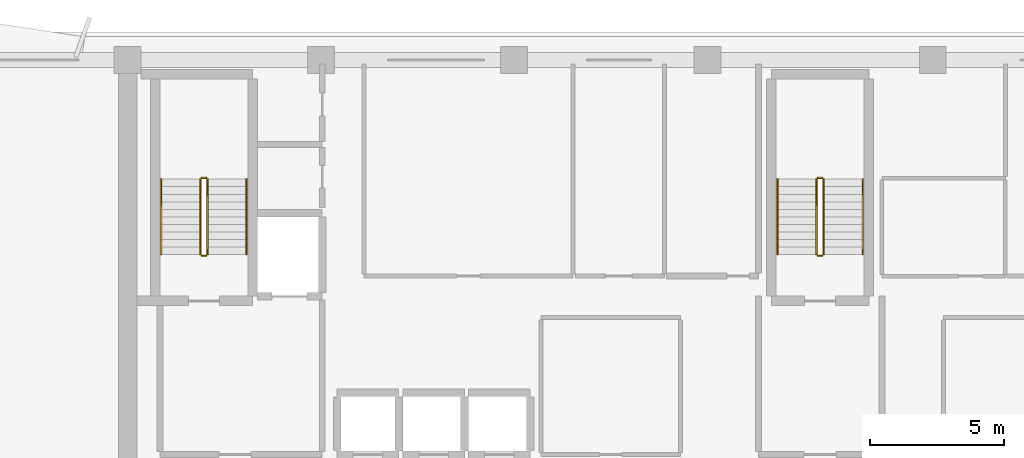
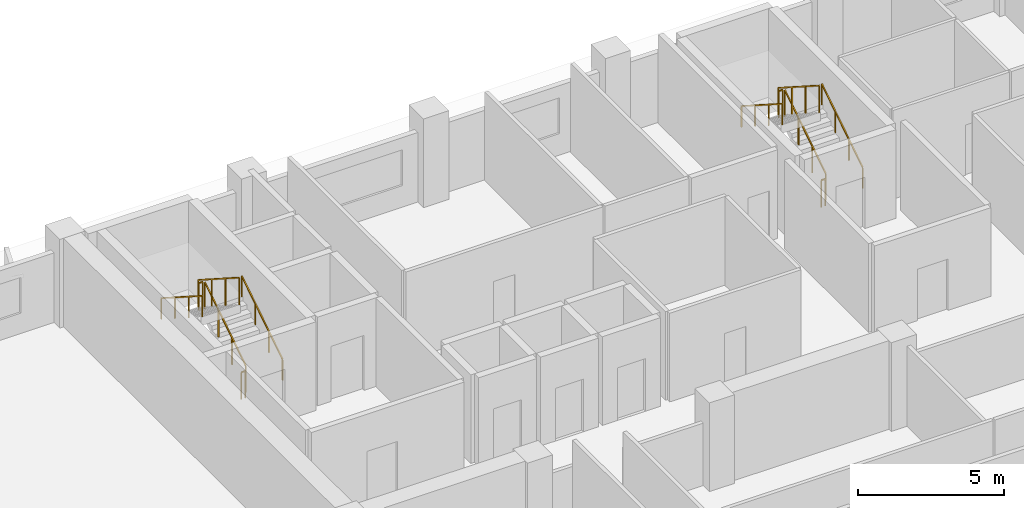
# One storey, part 9 of 10: 12 railings.
"""IFC4 building model written with IfcOpenShell, lengths in metres."""

import ifcopenshell
import ifcopenshell.guid

model = None  # the IFC model being written
_history = None  # IfcOwnerHistory: only IFC2X3 demands one
_inside = {}  # id of a spatial element -> (the spatial element, [elements in it])
_under = {}  # id of a project, library or spatial element -> (it, [spatial elements below it])
_declared = {}  # id of a project -> (the project, [libraries it declares])
_typed = {}  # id of a type object -> (the type object, [elements of that type])
_made_of = {}  # id of a material, layer set ... -> (it, [elements and type objects made of it])


def new_model(schema):
    """Start an empty IFC model of exactly this schema.

    Asked for "IFC4X3", IfcOpenShell would pick the latest addendum, in which some entities
    have other attributes; the version numbers below select the first issue.
    IFC2X3 requires an IfcOwnerHistory on every rooted entity: one is made here for all.
    """
    global model, _history
    if schema == "IFC4X3":
        model = ifcopenshell.file(schema_version=(4, 3, 0, 0))
    else:
        model = ifcopenshell.file(schema=schema)
    _inside.clear()
    _under.clear()
    _declared.clear()
    _typed.clear()
    _made_of.clear()
    _history = None
    if model.schema == "IFC2X3":
        org = make("IfcOrganization", Name="unknown")
        user = make(
            "IfcPersonAndOrganization",
            ThePerson=make("IfcPerson", FamilyName="unknown"),
            TheOrganization=org,
        )
        app = make(
            "IfcApplication",
            ApplicationDeveloper=org,
            Version="unknown",
            ApplicationFullName="unknown",
            ApplicationIdentifier="unknown",
        )
        _history = make(
            "IfcOwnerHistory",
            OwningUser=user,
            OwningApplication=app,
            ChangeAction="ADDED",
            CreationDate=0,
        )
    return model


def make(cls, **values):
    """One entity of the class cls with the attributes given. An attribute that is None is left unset."""
    return model.create_entity(
        cls, **{name: value for name, value in values.items() if value is not None}
    )


def rooted(cls, **values):
    """An entity with a GlobalId (a new one), such as an element, a storey or a relation."""
    return make(cls, GlobalId=ifcopenshell.guid.new(), OwnerHistory=_history, **values)


def si_unit(unit_type, name, prefix=None):
    """IfcSIUnit, for example si_unit("LENGTHUNIT", "METRE", prefix="MILLI")."""
    return make("IfcSIUnit", UnitType=unit_type, Prefix=prefix, Name=name)


def assignment(units):
    """IfcUnitAssignment: the units of a project."""
    return None if units is None else make("IfcUnitAssignment", Units=units)


def point(xyz):
    """IfcCartesianPoint."""
    return None if xyz is None else make("IfcCartesianPoint", Coordinates=xyz)


def direction(xyz):
    """IfcDirection."""
    return None if xyz is None else make("IfcDirection", DirectionRatios=xyz)


def frame(location, z_axis=None, x_axis=None):
    """IfcAxis2Placement3D, a coordinate frame: its origin and axes. An axis left out is left unset."""
    return make(
        "IfcAxis2Placement3D",
        Location=point(location),
        Axis=direction(z_axis),
        RefDirection=direction(x_axis),
    )


def frame_2d(location, x_axis=None):
    """IfcAxis2Placement2D, a coordinate frame in the plane: its origin and x axis."""
    return make(
        "IfcAxis2Placement2D", Location=point(location), RefDirection=direction(x_axis)
    )


def origin():
    """The frame at (0, 0, 0) with its axes left unset."""
    return frame((0.0, 0.0, 0.0))


def origin_2d():
    """The frame at (0, 0) in the plane with its x axis left unset."""
    return frame_2d((0.0, 0.0))


def place(relative_to, where):
    """IfcLocalPlacement: puts the frame where relative to a parent placement (None: the world)."""
    return make(
        "IfcLocalPlacement", PlacementRelTo=relative_to, RelativePlacement=where
    )


def context(
    kind, dimensions, precision=None, world=None, true_north=None, identifier=None
):
    """IfcGeometricRepresentationContext, for example the 3D "Model" context."""
    return make(
        "IfcGeometricRepresentationContext",
        ContextIdentifier=identifier,
        ContextType=kind,
        CoordinateSpaceDimension=dimensions,
        Precision=precision,
        WorldCoordinateSystem=world,
        TrueNorth=true_north,
    )


def subcontext(parent, identifier, kind, view, scale=None):
    """IfcGeometricRepresentationSubContext, for example "Body" below "Model"."""
    return make(
        "IfcGeometricRepresentationSubContext",
        ContextIdentifier=identifier,
        ContextType=kind,
        ParentContext=parent,
        TargetScale=scale,
        TargetView=view,
    )


def project(units=None, contexts=None):
    """IfcProject with its units and contexts."""
    return rooted(
        "IfcProject",
        Name="project",
        RepresentationContexts=contexts,
        UnitsInContext=assignment(units),
    )


def spatial(cls, under=None, at=None, **own):
    """A site, building, storey or space (cls), placed at a placement, below another one or the project."""
    s = rooted(cls, ObjectPlacement=at, **own)
    if under is not None:
        _under.setdefault(under.id(), (under, []))[1].append(s)
    return s


def profile(cls, at=None, kind="AREA", **sizes):
    """A parametric profile (cls). Its sizes go by their IFC names, for example OverallWidth=200.0."""
    return make(cls, ProfileType=kind, Position=at, **sizes)


def rectangle(**sizes):
    """IfcRectangleProfileDef."""
    return profile("IfcRectangleProfileDef", **sizes)


def extrude(swept, where, along, depth):
    """IfcExtrudedAreaSolid: the profile swept, set in the frame where, extruded along a direction by depth."""
    return make(
        "IfcExtrudedAreaSolid",
        SweptArea=swept,
        Position=where,
        ExtrudedDirection=direction(along),
        Depth=depth,
    )


def shape(context_of_items, identifier, shape_type, items):
    """IfcShapeRepresentation: the items that make up one representation, for example the "Body"."""
    return make(
        "IfcShapeRepresentation",
        ContextOfItems=context_of_items,
        RepresentationIdentifier=identifier,
        RepresentationType=shape_type,
        Items=items,
    )


def material(Name=None, Category=None):
    """IfcMaterial."""
    return make("IfcMaterial", Name=Name, Category=Category)


def made_of(thing, what):
    """Note that an element or type object is made of a material, layer set ...; save() writes the relation."""
    if what is not None:
        _made_of.setdefault(what.id(), (what, []))[1].append(thing)
    return thing


def type_object(cls, material=None, **own):
    """A type object (cls), such as IfcWallType, which elements share."""
    return made_of(rooted(cls, **own), material)


def element(
    cls,
    number,
    at=None,
    inside=None,
    cuts=None,
    type_object=None,
    material=None,
    context=None,
    identifier="Body",
    shape_type=None,
    held_by="IfcProductDefinitionShape",
    body=None,
    shapes=None,
    **own,
):
    """One element of the class cls, such as IfcWall. Its Tag is "e" and its number.

    at: its placement. inside: the storey or other place that contains it. cuts: it is an
    opening in that element (IfcRelVoidsElement). A single representation is given by context,
    identifier, shape_type and body (its items); several are given by shapes. held_by: the class
    of the entity that holds the representations. save() writes the other relations.
    """
    e = rooted(cls, Tag="e%d" % number, ObjectPlacement=at, **own)
    if body is not None:
        shapes = [shape(context, identifier, shape_type, body)]
    if shapes is not None:
        e.Representation = make(held_by, Representations=shapes)
    if inside is not None:
        _inside.setdefault(inside.id(), (inside, []))[1].append(e)
    if cuts is not None:
        rooted(
            "IfcRelVoidsElement", RelatingBuildingElement=cuts, RelatedOpeningElement=e
        )
    if type_object is not None:
        _typed.setdefault(type_object.id(), (type_object, []))[1].append(e)
    return made_of(e, material)


def aggregate(whole, parts):
    """IfcRelAggregates: a whole, such as a stair, and the parts it consists of."""
    return rooted("IfcRelAggregates", RelatingObject=whole, RelatedObjects=parts)


def save(model, path):
    """Write the relations noted so far, then the file.

    IfcRelAggregates (storeys below a building ...), IfcRelContainedInSpatialStructure (elements
    in a storey), IfcRelDefinesByType, IfcRelAssociatesMaterial and IfcRelDeclares: one each for
    every whole, place, type object, material and project.
    """
    for whole, parts in _under.values():
        aggregate(whole, parts)
    for where, things in _inside.values():
        rooted(
            "IfcRelContainedInSpatialStructure",
            RelatedElements=things,
            RelatingStructure=where,
        )
    for kind, things in _typed.values():
        rooted("IfcRelDefinesByType", RelatedObjects=things, RelatingType=kind)
    for what, things in _made_of.values():
        rooted("IfcRelAssociatesMaterial", RelatedObjects=things, RelatingMaterial=what)
    for by, libraries in _declared.values():
        rooted("IfcRelDeclares", RelatingContext=by, RelatedDefinitions=libraries)
    model.write(path)


model = new_model("IFC4")

# Units and contexts
model_context = context("Model", 3, precision=1e-05, world=origin(), true_north=direction((0.0, 1.0)))
body_context = subcontext(model_context, "Body", "Model", "MODEL_VIEW")
ifc_project = project(units=[si_unit("LENGTHUNIT", "METRE"), si_unit("AREAUNIT", "SQUARE_METRE"), si_unit("VOLUMEUNIT", "CUBIC_METRE"), si_unit("PLANEANGLEUNIT", "RADIAN"), si_unit("MASSUNIT", "GRAM", prefix="KILO")], contexts=[model_context])

# Site, building, storey
site_placement = place(None, origin())
site = spatial("IfcSite", under=ifc_project, at=site_placement, CompositionType="ELEMENT")
building_placement = place(site_placement, origin())
building = spatial("IfcBuilding", under=site, at=building_placement, Name="Kaelvorn Grand Hotel", CompositionType="ELEMENT")
storey_placement = place(building_placement, frame((0.0, 0.0, 260.75)))
storey = spatial("IfcBuildingStorey", under=building, at=storey_placement, Name="L64", CompositionType="ELEMENT", Elevation=260.75)

# Railings
ifc_material = material(Name="Stainless Steel", Category="steel")
railing_type_1 = type_object("IfcRailingType", Name="RL-HANDRAIL-900", PredefinedType="HANDRAIL", material=ifc_material)
railing_1_placement = place(storey_placement, frame((20.6298828125, 41.760009765625, 0.179443359375)))
element("IfcRailing", 1, at=railing_1_placement, inside=storey, type_object=railing_type_1, Name="L64 ST1 stair handrail 1", PredefinedType="HANDRAIL", context=body_context, shape_type="SweptSolid", body=[
    extrude(rectangle(XDim=0.048095703125, YDim=0.048095703125, at=origin_2d()), frame((0.0, 0.0, 0.8759765625), z_axis=(0.0, 0.841776520102, 0.539826166654), x_axis=(-1.0, 0.0, 0.0)), (0.0, 0.0, 1.0), 3.326416015625),
    extrude(rectangle(XDim=0.0419921875, YDim=0.0419921875, at=origin_2d()), origin(), (0.0, 0.0, 1.0), 0.851806640625),
    extrude(rectangle(XDim=0.0419921875, YDim=0.0419921875, at=origin_2d()), frame((0.0, 0.933349609375, 0.5986328125)), (0.0, 0.0, 1.0), 0.851806640625),
    extrude(rectangle(XDim=0.0419921875, YDim=0.0419921875, at=origin_2d()), frame((0.0, 1.86669921875, 1.197021484375)), (0.0, 0.0, 1.0), 0.851806640625),
    extrude(rectangle(XDim=0.0419921875, YDim=0.0419921875, at=origin_2d()), frame((0.0, 2.800048828125, 1.795654296875)), (0.0, 0.0, 1.0), 0.851806640625),
])
railing_2_placement = place(storey_placement, frame((17.449951171875, 44.56005859375, 2.154541015625)))
element("IfcRailing", 2, at=railing_2_placement, inside=storey, type_object=railing_type_1, Name="L64 ST1 stair handrail 2", PredefinedType="HANDRAIL", context=body_context, shape_type="SweptSolid", body=[
    extrude(rectangle(XDim=0.048095703125, YDim=0.048095703125, at=origin_2d()), frame((0.0, 0.0, 0.8759765625), z_axis=(0.0, -0.841809871826, 0.539774156196), x_axis=(1.0, 0.0, 0.0)), (0.0, 0.0, 1.0), 3.326171875),
    extrude(rectangle(XDim=0.0419921875, YDim=0.0419921875, at=origin_2d()), origin(), (0.0, 0.0, 1.0), 0.851806640625),
    extrude(rectangle(XDim=0.0419921875, YDim=0.0419921875, at=origin_2d()), frame((0.0, -0.933349609375, 0.598388671875)), (0.0, 0.0, 1.0), 0.851806640625),
    extrude(rectangle(XDim=0.0419921875, YDim=0.0419921875, at=origin_2d()), frame((0.0, -1.86669921875, 1.197021484375)), (0.0, 0.0, 1.0), 0.851806640625),
    extrude(rectangle(XDim=0.0419921875, YDim=0.0419921875, at=origin_2d()), frame((0.0, -2.800048828125, 1.79541015625)), (0.0, 0.0, 1.0), 0.851806640625),
])
railing_3_placement = place(storey_placement, frame((43.590087890625, 41.760009765625, 0.179443359375)))
element("IfcRailing", 3, at=railing_3_placement, inside=storey, type_object=railing_type_1, Name="L64 ST2 stair handrail 1", PredefinedType="HANDRAIL", context=body_context, shape_type="SweptSolid", body=[
    extrude(rectangle(XDim=0.048095703125, YDim=0.048095703125, at=origin_2d()), frame((0.0, 0.0, 0.8759765625), z_axis=(0.0, 0.841776520102, 0.539826166654), x_axis=(-1.0, 0.0, 0.0)), (0.0, 0.0, 1.0), 3.326416015625),
    extrude(rectangle(XDim=0.0419921875, YDim=0.0419921875, at=origin_2d()), origin(), (0.0, 0.0, 1.0), 0.851806640625),
    extrude(rectangle(XDim=0.0419921875, YDim=0.0419921875, at=origin_2d()), frame((0.0, 0.933349609375, 0.5986328125)), (0.0, 0.0, 1.0), 0.851806640625),
    extrude(rectangle(XDim=0.0419921875, YDim=0.0419921875, at=origin_2d()), frame((0.0, 1.86669921875, 1.197021484375)), (0.0, 0.0, 1.0), 0.851806640625),
    extrude(rectangle(XDim=0.0419921875, YDim=0.0419921875, at=origin_2d()), frame((0.0, 2.800048828125, 1.795654296875)), (0.0, 0.0, 1.0), 0.851806640625),
])
railing_4_placement = place(storey_placement, frame((40.409912109375, 44.56005859375, 2.154541015625)))
element("IfcRailing", 4, at=railing_4_placement, inside=storey, type_object=railing_type_1, Name="L64 ST2 stair handrail 2", PredefinedType="HANDRAIL", context=body_context, shape_type="SweptSolid", body=[
    extrude(rectangle(XDim=0.048095703125, YDim=0.048095703125, at=origin_2d()), frame((0.0, 0.0, 0.8759765625), z_axis=(0.0, -0.841809871826, 0.539774156196), x_axis=(1.0, 0.0, 0.0)), (0.0, 0.0, 1.0), 3.326171875),
    extrude(rectangle(XDim=0.0419921875, YDim=0.0419921875, at=origin_2d()), origin(), (0.0, 0.0, 1.0), 0.851806640625),
    extrude(rectangle(XDim=0.0419921875, YDim=0.0419921875, at=origin_2d()), frame((0.0, -0.933349609375, 0.598388671875)), (0.0, 0.0, 1.0), 0.851806640625),
    extrude(rectangle(XDim=0.0419921875, YDim=0.0419921875, at=origin_2d()), frame((0.0, -1.86669921875, 1.197021484375)), (0.0, 0.0, 1.0), 0.851806640625),
    extrude(rectangle(XDim=0.0419921875, YDim=0.0419921875, at=origin_2d()), frame((0.0, -2.800048828125, 1.79541015625)), (0.0, 0.0, 1.0), 0.851806640625),
])
railing_type_2 = type_object("IfcRailingType", Name="RL-STAIR-GUARD-1150", PredefinedType="BALUSTRADE", material=ifc_material)
railing_5_placement = place(storey_placement, frame((19.169921875, 41.760009765625, 0.179443359375)))
element("IfcRailing", 5, at=railing_5_placement, inside=storey, type_object=railing_type_2, Name="L64 ST1 stair guard 1", PredefinedType="BALUSTRADE", context=body_context, shape_type="SweptSolid", body=[
    extrude(rectangle(XDim=0.048095703125, YDim=0.048095703125, at=origin_2d()), frame((0.0, 0.0, 1.1259765625), z_axis=(0.0, 0.841776520102, 0.539826166654), x_axis=(-1.0, 0.0, 0.0)), (0.0, 0.0, 1.0), 3.326416015625),
    extrude(rectangle(XDim=0.0419921875, YDim=0.0419921875, at=origin_2d()), origin(), (0.0, 0.0, 1.0), 1.101806640625),
    extrude(rectangle(XDim=0.0419921875, YDim=0.0419921875, at=origin_2d()), frame((0.0, 0.933349609375, 0.5986328125)), (0.0, 0.0, 1.0), 1.101806640625),
    extrude(rectangle(XDim=0.0419921875, YDim=0.0419921875, at=origin_2d()), frame((0.0, 1.86669921875, 1.197021484375)), (0.0, 0.0, 1.0), 1.101806640625),
    extrude(rectangle(XDim=0.0419921875, YDim=0.0419921875, at=origin_2d()), frame((0.0, 2.800048828125, 1.795654296875)), (0.0, 0.0, 1.0), 1.101806640625),
])
railing_6_placement = place(storey_placement, frame((19.1201171875, 44.610107421875, 1.97509765625)))
element("IfcRailing", 6, at=railing_6_placement, inside=storey, type_object=railing_type_2, Name="L64 ST1 stair guard 2", PredefinedType="BALUSTRADE", context=body_context, shape_type="SweptSolid", body=[
    extrude(rectangle(XDim=0.048095703125, YDim=0.048095703125, at=origin_2d()), frame((0.0, 0.0, 1.1259765625), z_axis=(-1.0, 0.0, 0.0), x_axis=(0.0, -1.0, 0.0)), (0.0, 0.0, 1.0), 0.16015625),
    extrude(rectangle(XDim=0.0419921875, YDim=0.0419921875, at=origin_2d()), origin(), (0.0, 0.0, 1.0), 1.101806640625),
    extrude(rectangle(XDim=0.0419921875, YDim=0.0419921875, at=origin_2d()), frame((-0.16015625, 0.0, 0.0)), (0.0, 0.0, 1.0), 1.101806640625),
])
railing_7_placement = place(storey_placement, frame((18.909912109375, 44.56005859375, 2.154541015625)))
element("IfcRailing", 7, at=railing_7_placement, inside=storey, type_object=railing_type_2, Name="L64 ST1 stair guard 3", PredefinedType="BALUSTRADE", context=body_context, shape_type="SweptSolid", body=[
    extrude(rectangle(XDim=0.048095703125, YDim=0.048095703125, at=origin_2d()), frame((0.0, 0.0, 1.1259765625), z_axis=(0.0, -0.841809871826, 0.539774156196), x_axis=(1.0, 0.0, 0.0)), (0.0, 0.0, 1.0), 3.326171875),
    extrude(rectangle(XDim=0.0419921875, YDim=0.0419921875, at=origin_2d()), origin(), (0.0, 0.0, 1.0), 1.101806640625),
    extrude(rectangle(XDim=0.0419921875, YDim=0.0419921875, at=origin_2d()), frame((0.0, -0.933349609375, 0.598388671875)), (0.0, 0.0, 1.0), 1.101806640625),
    extrude(rectangle(XDim=0.0419921875, YDim=0.0419921875, at=origin_2d()), frame((0.0, -1.86669921875, 1.197021484375)), (0.0, 0.0, 1.0), 1.101806640625),
    extrude(rectangle(XDim=0.0419921875, YDim=0.0419921875, at=origin_2d()), frame((0.0, -2.800048828125, 1.79541015625)), (0.0, 0.0, 1.0), 1.101806640625),
])
railing_8_placement = place(storey_placement, frame((19.1201171875, 41.7099609375, 0.0)))
element("IfcRailing", 8, at=railing_8_placement, inside=storey, type_object=railing_type_2, Name="L64 ST1 stair guard 4", PredefinedType="BALUSTRADE", context=body_context, shape_type="SweptSolid", body=[
    extrude(rectangle(XDim=0.048095703125, YDim=0.048095703125, at=origin_2d()), frame((0.0, 0.0, 1.1259765625), z_axis=(-1.0, 0.0, 0.0), x_axis=(0.0, -1.0, 0.0)), (0.0, 0.0, 1.0), 0.16015625),
    extrude(rectangle(XDim=0.0419921875, YDim=0.0419921875, at=origin_2d()), origin(), (0.0, 0.0, 1.0), 1.101806640625),
    extrude(rectangle(XDim=0.0419921875, YDim=0.0419921875, at=origin_2d()), frame((-0.16015625, 0.0, 0.0)), (0.0, 0.0, 1.0), 1.101806640625),
])
railing_9_placement = place(storey_placement, frame((42.1298828125, 41.760009765625, 0.179443359375)))
element("IfcRailing", 9, at=railing_9_placement, inside=storey, type_object=railing_type_2, Name="L64 ST2 stair guard 1", PredefinedType="BALUSTRADE", context=body_context, shape_type="SweptSolid", body=[
    extrude(rectangle(XDim=0.048095703125, YDim=0.048095703125, at=origin_2d()), frame((0.0, 0.0, 1.1259765625), z_axis=(0.0, 0.841776520102, 0.539826166654), x_axis=(-1.0, 0.0, 0.0)), (0.0, 0.0, 1.0), 3.326416015625),
    extrude(rectangle(XDim=0.0419921875, YDim=0.0419921875, at=origin_2d()), origin(), (0.0, 0.0, 1.0), 1.101806640625),
    extrude(rectangle(XDim=0.0419921875, YDim=0.0419921875, at=origin_2d()), frame((0.0, 0.933349609375, 0.5986328125)), (0.0, 0.0, 1.0), 1.101806640625),
    extrude(rectangle(XDim=0.0419921875, YDim=0.0419921875, at=origin_2d()), frame((0.0, 1.86669921875, 1.197021484375)), (0.0, 0.0, 1.0), 1.101806640625),
    extrude(rectangle(XDim=0.0419921875, YDim=0.0419921875, at=origin_2d()), frame((0.0, 2.800048828125, 1.795654296875)), (0.0, 0.0, 1.0), 1.101806640625),
])
railing_10_placement = place(storey_placement, frame((42.080078125, 44.610107421875, 1.97509765625)))
element("IfcRailing", 10, at=railing_10_placement, inside=storey, type_object=railing_type_2, Name="L64 ST2 stair guard 2", PredefinedType="BALUSTRADE", context=body_context, shape_type="SweptSolid", body=[
    extrude(rectangle(XDim=0.048095703125, YDim=0.048095703125, at=origin_2d()), frame((0.0, 0.0, 1.1259765625), z_axis=(-1.0, 0.0, 0.0), x_axis=(0.0, -1.0, 0.0)), (0.0, 0.0, 1.0), 0.16015625),
    extrude(rectangle(XDim=0.0419921875, YDim=0.0419921875, at=origin_2d()), origin(), (0.0, 0.0, 1.0), 1.101806640625),
    extrude(rectangle(XDim=0.0419921875, YDim=0.0419921875, at=origin_2d()), frame((-0.16015625, 0.0, 0.0)), (0.0, 0.0, 1.0), 1.101806640625),
])
railing_11_placement = place(storey_placement, frame((41.8701171875, 44.56005859375, 2.154541015625)))
element("IfcRailing", 11, at=railing_11_placement, inside=storey, type_object=railing_type_2, Name="L64 ST2 stair guard 3", PredefinedType="BALUSTRADE", context=body_context, shape_type="SweptSolid", body=[
    extrude(rectangle(XDim=0.048095703125, YDim=0.048095703125, at=origin_2d()), frame((0.0, 0.0, 1.1259765625), z_axis=(0.0, -0.841809871826, 0.539774156196), x_axis=(1.0, 0.0, 0.0)), (0.0, 0.0, 1.0), 3.326171875),
    extrude(rectangle(XDim=0.0419921875, YDim=0.0419921875, at=origin_2d()), origin(), (0.0, 0.0, 1.0), 1.101806640625),
    extrude(rectangle(XDim=0.0419921875, YDim=0.0419921875, at=origin_2d()), frame((0.0, -0.933349609375, 0.598388671875)), (0.0, 0.0, 1.0), 1.101806640625),
    extrude(rectangle(XDim=0.0419921875, YDim=0.0419921875, at=origin_2d()), frame((0.0, -1.86669921875, 1.197021484375)), (0.0, 0.0, 1.0), 1.101806640625),
    extrude(rectangle(XDim=0.0419921875, YDim=0.0419921875, at=origin_2d()), frame((0.0, -2.800048828125, 1.79541015625)), (0.0, 0.0, 1.0), 1.101806640625),
])
railing_12_placement = place(storey_placement, frame((42.080078125, 41.7099609375, 0.0)))
element("IfcRailing", 12, at=railing_12_placement, inside=storey, type_object=railing_type_2, Name="L64 ST2 stair guard 4", PredefinedType="BALUSTRADE", context=body_context, shape_type="SweptSolid", body=[
    extrude(rectangle(XDim=0.048095703125, YDim=0.048095703125, at=origin_2d()), frame((0.0, 0.0, 1.1259765625), z_axis=(-1.0, 0.0, 0.0), x_axis=(0.0, -1.0, 0.0)), (0.0, 0.0, 1.0), 0.16015625),
    extrude(rectangle(XDim=0.0419921875, YDim=0.0419921875, at=origin_2d()), origin(), (0.0, 0.0, 1.0), 1.101806640625),
    extrude(rectangle(XDim=0.0419921875, YDim=0.0419921875, at=origin_2d()), frame((-0.16015625, 0.0, 0.0)), (0.0, 0.0, 1.0), 1.101806640625),
])

save(model, "model.ifc")
